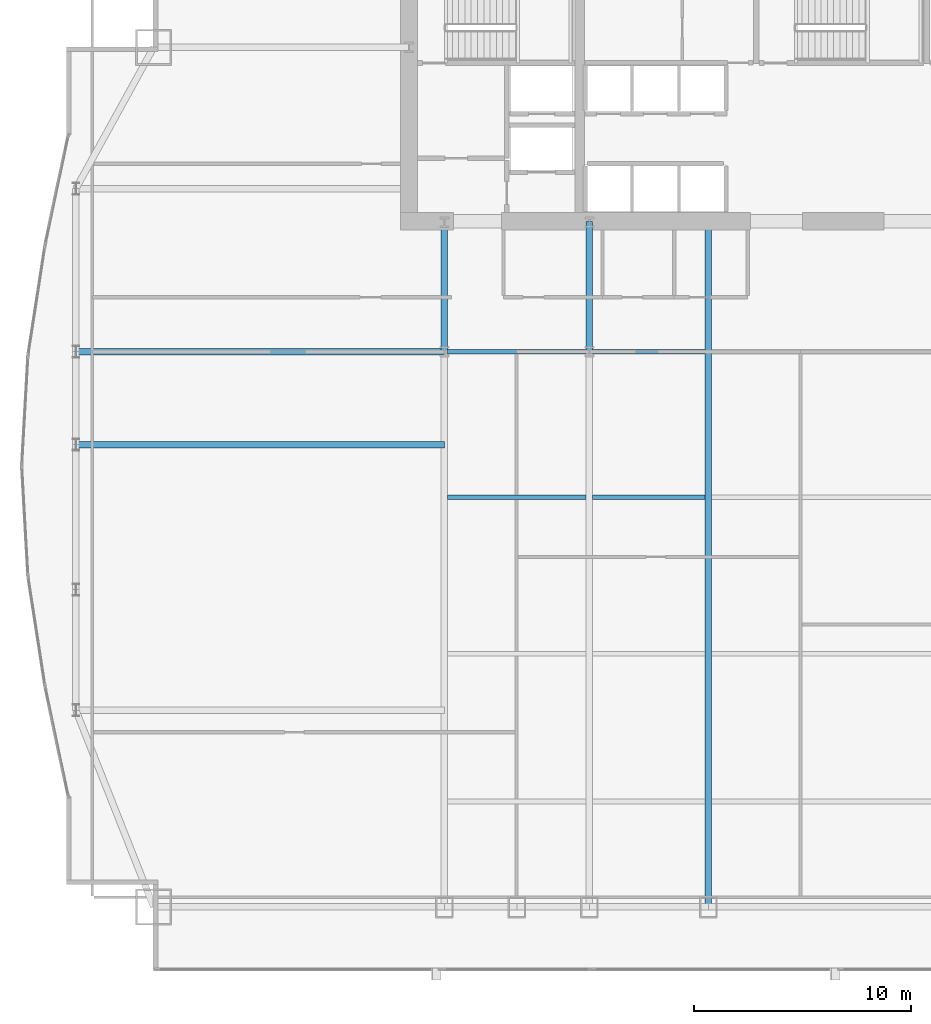
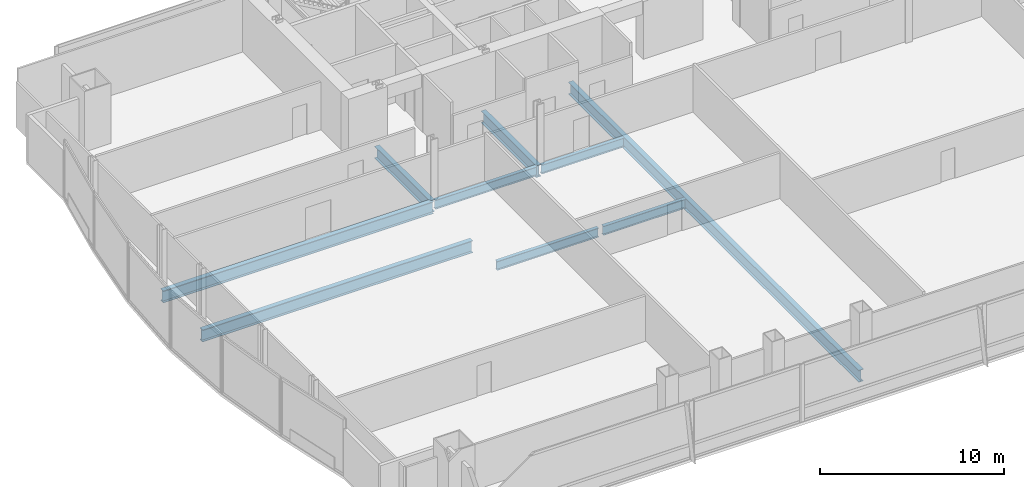
# One storey, part 11 of 35: 9 beams.
"""IFC4 building model written with IfcOpenShell, lengths in metres."""

from ifc_helpers import new_model, si_unit, direction, frame, origin, origin_2d, place, context, subcontext, project, spatial, i_section, extrude, material, material_profile, profile_set, type_object, element, save


model = new_model("IFC4")

# Units and contexts
model_context = context("Model", 3, precision=1e-05, world=origin(), true_north=direction((0.0, 1.0)))
body_context = subcontext(model_context, "Body", "Model", "MODEL_VIEW")
ifc_project = project(units=[si_unit("LENGTHUNIT", "METRE"), si_unit("AREAUNIT", "SQUARE_METRE"), si_unit("VOLUMEUNIT", "CUBIC_METRE"), si_unit("PLANEANGLEUNIT", "RADIAN"), si_unit("MASSUNIT", "GRAM", prefix="KILO")], contexts=[model_context])

# Site, building, storey
site_placement = place(None, origin())
site = spatial("IfcSite", under=ifc_project, at=site_placement, CompositionType="ELEMENT")
building_placement = place(site_placement, origin())
building = spatial("IfcBuilding", under=site, at=building_placement, Name="Khoronbel Lancet Exchange", CompositionType="ELEMENT")
storey_placement = place(building_placement, frame((0.0, 0.0, 53.800048828125)))
storey = spatial("IfcBuildingStorey", under=building, at=storey_placement, Name="L12", CompositionType="ELEMENT", Elevation=53.800048828125)

# Beams
ifc_material = material(Name="Steel S355", Category="steel")
ifc_material_profile_1 = material_profile(ifc_material, i_section(OverallWidth=0.300048828125, OverallDepth=0.800048828125, WebThickness=0.017578125, FlangeThickness=0.032958984375, at=origin_2d()), Name="HEB 800")
ifc_profile_set_1 = profile_set([ifc_material_profile_1], Name="Steel S355")
beam_type_1 = type_object("IfcBeamType", Name="BM-BG2", PredefinedType="BEAM", material=ifc_profile_set_1)
for number, where, z_axis, x_axis, name in (
    (1, (18.22509765625, 35.699951171875, -0.580078125), (0.0, 1.0, 0.0), (-1.0, 0.0, 0.0), "Level L12 spine tie girder GN1"),
    (2, (24.89990234375, 35.699951171875, -0.580078125), (0.0, 1.0, 0.0), (-1.0, 0.0, 0.0), "Level L12 spine tie girder GN2"),
):
    element("IfcBeam", number, at=place(storey_placement, frame(where, z_axis=z_axis, x_axis=x_axis)), inside=storey, type_object=beam_type_1, Name=name, PredefinedType="BEAM", context=body_context, shape_type="SweptSolid", body=[
        extrude(i_section(OverallWidth=0.300048828125, OverallDepth=0.800048828125, WebThickness=0.017578125, FlangeThickness=0.032958984375, at=origin_2d()), origin(), (0.0, 0.0, 1.0), 6.0),
    ])
beam_1_placement = place(storey_placement, frame((30.375, 10.14990234375, -0.580078125), z_axis=(0.0, 1.0, 0.0), x_axis=(-1.0, 0.0, 0.0)))
element("IfcBeam", 3, at=beam_1_placement, inside=storey, type_object=beam_type_1, Name="Level L12 primary floor girder G3", PredefinedType="BEAM", context=body_context, shape_type="SweptSolid", body=[
    extrude(i_section(OverallWidth=0.300048828125, OverallDepth=0.800048828125, WebThickness=0.017578125, FlangeThickness=0.032958984375, at=origin_2d()), origin(), (0.0, 0.0, 1.0), 31.550048828125),
])
for number, where, z_axis, x_axis, name in (
    (4, (1.27001953125, 31.425048828125, -0.580078125), (1.0, 0.0, 0.0), (0.0, 1.0, 0.0), "Level L12 west lens tie girder LG2W"),
    (5, (1.27001953125, 35.699951171875, -0.580078125), (1.0, 0.0, 0.0), (0.0, 1.0, 0.0), "Level L12 west lens tie girder LG4W"),
):
    element("IfcBeam", number, at=place(storey_placement, frame(where, z_axis=z_axis, x_axis=x_axis)), inside=storey, type_object=beam_type_1, Name=name, PredefinedType="BEAM", context=body_context, shape_type="SweptSolid", body=[
        extrude(i_section(OverallWidth=0.300048828125, OverallDepth=0.800048828125, WebThickness=0.017578125, FlangeThickness=0.032958984375, at=origin_2d()), origin(), (0.0, 0.0, 1.0), 16.955078125),
    ])
ifc_material_profile_2 = material_profile(ifc_material, i_section(OverallWidth=0.219970703125, OverallDepth=0.60009765625, WebThickness=0.011962890625, FlangeThickness=0.01904296875, at=origin_2d()), Name="IPE 600")
ifc_profile_set_2 = profile_set([ifc_material_profile_2], Name="Steel S355")
beam_type_2 = type_object("IfcBeamType", Name="BM-BJ1", PredefinedType="JOIST", material=ifc_profile_set_2)
beam_2_placement = place(storey_placement, frame((18.375, 29.0, -0.47998046875), z_axis=(1.0, 0.0, 0.0), x_axis=(0.0, 1.0, 0.0)))
element("IfcBeam", 6, at=beam_2_placement, inside=storey, type_object=beam_type_2, Name="Level L12 secondary composite joist J11", PredefinedType="JOIST", context=body_context, shape_type="SweptSolid", body=[
    extrude(i_section(OverallWidth=0.219970703125, OverallDepth=0.60009765625, WebThickness=0.011962890625, FlangeThickness=0.01904296875, at=origin_2d()), origin(), (0.0, 0.0, 1.0), 6.375),
])
beam_3_placement = place(storey_placement, frame((25.050048828125, 29.0, -0.47998046875), z_axis=(1.0, 0.0, 0.0), x_axis=(0.0, 1.0, 0.0)))
element("IfcBeam", 7, at=beam_3_placement, inside=storey, type_object=beam_type_2, Name="Level L12 secondary composite joist J12", PredefinedType="JOIST", context=body_context, shape_type="SweptSolid", body=[
    extrude(i_section(OverallWidth=0.219970703125, OverallDepth=0.60009765625, WebThickness=0.011962890625, FlangeThickness=0.01904296875, at=origin_2d()), origin(), (0.0, 0.0, 1.0), 5.175048828125),
])
beam_4_placement = place(storey_placement, frame((18.375, 35.699951171875, -0.47998046875), z_axis=(1.0, 0.0, 0.0), x_axis=(0.0, 1.0, 0.0)))
element("IfcBeam", 8, at=beam_4_placement, inside=storey, type_object=beam_type_2, Name="Level L12 secondary composite joist J16", PredefinedType="JOIST", context=body_context, shape_type="SweptSolid", body=[
    extrude(i_section(OverallWidth=0.219970703125, OverallDepth=0.60009765625, WebThickness=0.011962890625, FlangeThickness=0.01904296875, at=origin_2d()), origin(), (0.0, 0.0, 1.0), 6.375),
])
beam_5_placement = place(storey_placement, frame((25.050048828125, 35.699951171875, -0.47998046875), z_axis=(1.0, 0.0, 0.0), x_axis=(0.0, 1.0, 0.0)))
element("IfcBeam", 9, at=beam_5_placement, inside=storey, type_object=beam_type_2, Name="Level L12 secondary composite joist J17", PredefinedType="JOIST", context=body_context, shape_type="SweptSolid", body=[
    extrude(i_section(OverallWidth=0.219970703125, OverallDepth=0.60009765625, WebThickness=0.011962890625, FlangeThickness=0.01904296875, at=origin_2d()), origin(), (0.0, 0.0, 1.0), 5.175048828125),
])

save(model, "model.ifc")
